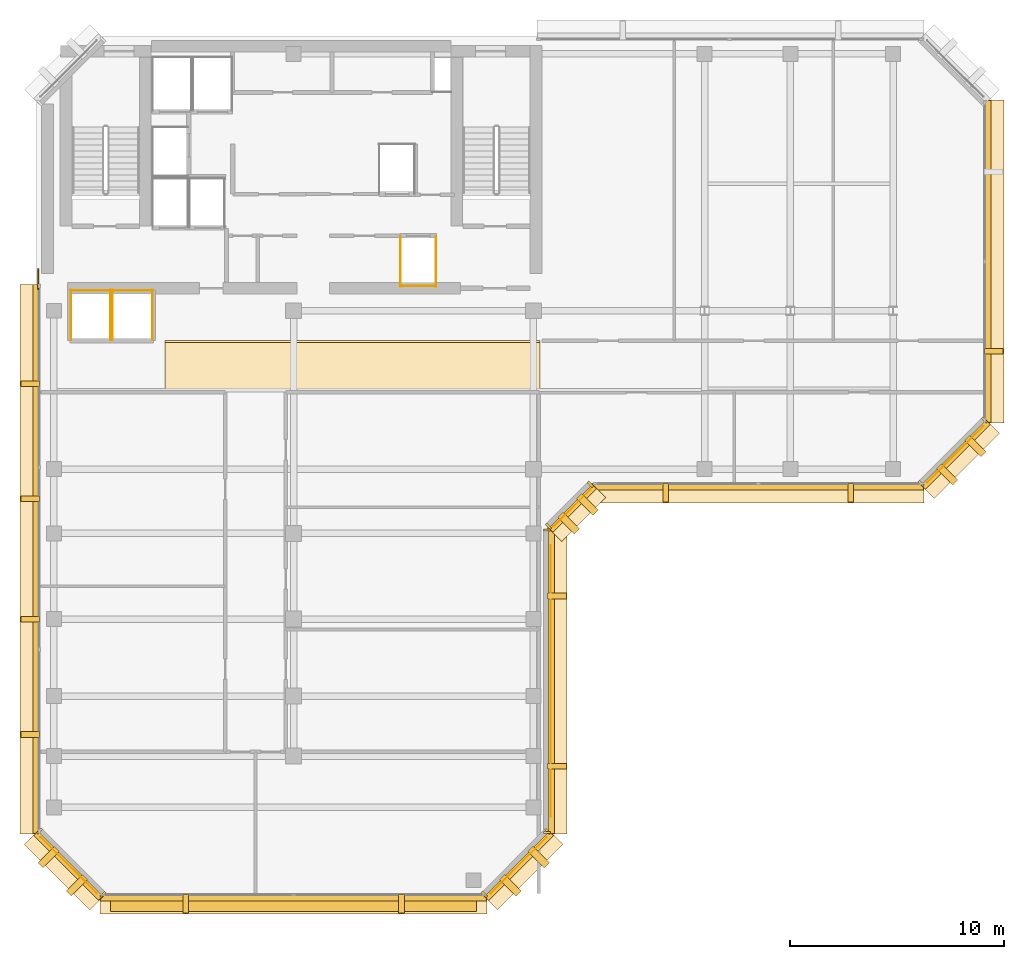
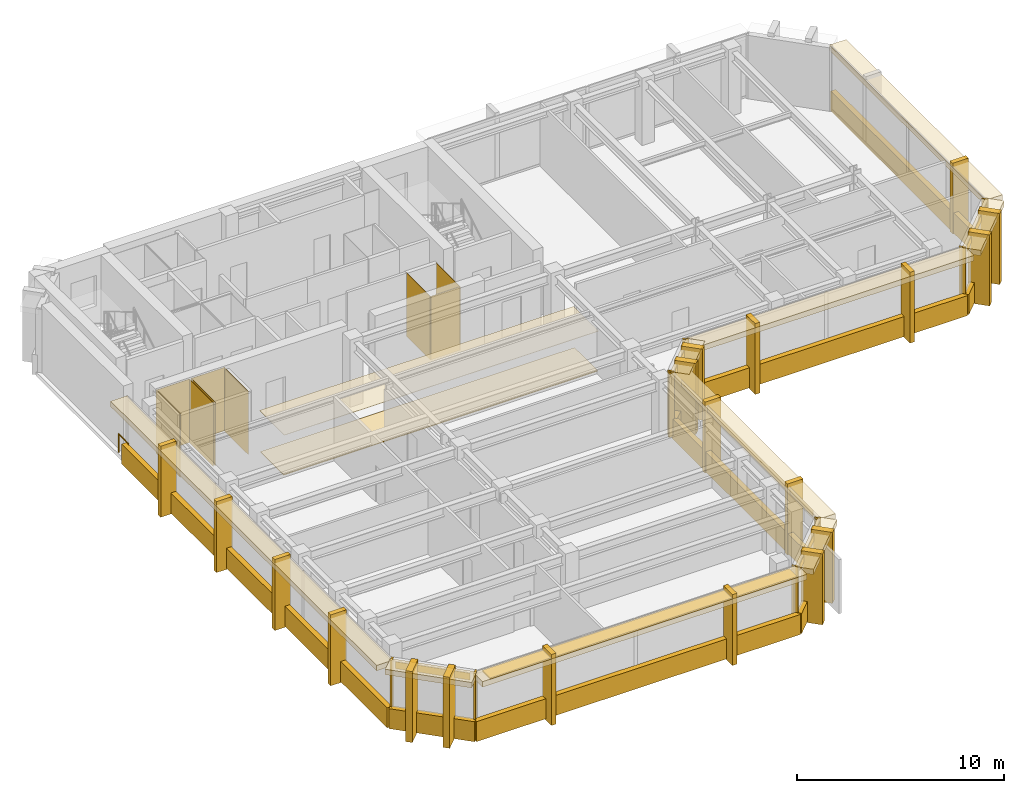
# One storey, part 9 of 11: 63 coverings, 1 railing, 1 shading device.
"""IFC4 building model written with IfcOpenShell, lengths in metres."""

from ifc_helpers import new_model, si_unit, direction, frame, origin, origin_2d, place, context, subcontext, project, spatial, polyline, rectangle, circle, outline, extrude, material, layer, layer_set, type_object, element, save


model = new_model("IFC4")

# Units and contexts
model_context = context("Model", 3, precision=1e-05, world=origin(), true_north=direction((0.0, 1.0)))
body_context = subcontext(model_context, "Body", "Model", "MODEL_VIEW")
ifc_project = project(units=[si_unit("LENGTHUNIT", "METRE"), si_unit("AREAUNIT", "SQUARE_METRE"), si_unit("VOLUMEUNIT", "CUBIC_METRE"), si_unit("PLANEANGLEUNIT", "RADIAN"), si_unit("MASSUNIT", "GRAM", prefix="KILO")], contexts=[model_context])

# Site, building, storey
site_placement = place(None, origin())
site = spatial("IfcSite", under=ifc_project, at=site_placement, CompositionType="ELEMENT")
building_placement = place(site_placement, origin())
building = spatial("IfcBuilding", under=site, at=building_placement, Name="Kefirva Bronze Tower", CompositionType="ELEMENT")
storey_placement = place(building_placement, frame((0.0, 0.0, 299.969970703125)))
storey = spatial("IfcBuildingStorey", under=building, at=storey_placement, Name="L73", CompositionType="ELEMENT", Elevation=299.969970703125)

# Coverings
ifc_material_1 = material(Name="Acoustic mineral tile")
ifc_layer_1 = layer(ifc_material_1, 0.02490234375, Name="Acoustic mineral tile")
ifc_layer_set_1 = layer_set([ifc_layer_1], Name="Acoustic mineral tile")
covering_type_1 = type_object("IfcCoveringType", Name="Acoustic Mineral Suspended Ceiling 25mm", PredefinedType="CEILING", material=ifc_layer_set_1)
covering_1_placement = place(storey_placement, frame((0.0, 0.0, 2.400146484375)))
element("IfcCovering", 1, at=covering_1_placement, inside=storey, type_object=covering_type_1, Name="L73 Corridor Acoustic Ceiling", PredefinedType="CEILING", context=body_context, shape_type="SweptSolid", body=[
    extrude(outline(polyline([(6.0, 29.39990234375), (23.5, 29.39990234375), (23.5, 31.800048828125), (6.0, 31.800048828125), (6.0, 29.39990234375)])), origin(), (0.0, 0.0, 1.0), 0.02490234375),
])
ifc_material_2 = material(Name="Bronze anodised aluminium", Category="aluminium")
ifc_layer_2 = layer(ifc_material_2, 0.02001953125, Name="Bronze anodised aluminium")
ifc_layer_set_2 = layer_set([ifc_layer_2], Name="Bronze anodised aluminium")
covering_type_2 = type_object("IfcCoveringType", Name="Anodised Bronze Spandrel Cladding 20mm", PredefinedType="CLADDING", material=ifc_layer_set_2)
covering_2_placement = place(storey_placement, frame((12.0, 5.760009765625, -0.16015625), z_axis=(0.0, 0.0, 1.0), x_axis=(1.0, 0.0, 0.0)))
element("IfcCovering", 2, at=covering_2_placement, inside=storey, type_object=covering_type_2, Name="L73 Streamline Horizontal Spandrel Band 0", PredefinedType="CLADDING", context=body_context, shape_type="SweptSolid", body=[
    extrude(rectangle(XDim=18.0400390625, YDim=0.280029296875, at=origin_2d()), origin(), (0.0, 0.0, 1.0), 1.179931640625),
])
covering_3_placement = place(storey_placement, frame((22.507080078125, 7.29296875, 3.320068359375), z_axis=(0.0, 0.0, 1.0), x_axis=(0.707106781187, 0.707106781187, 0.0)))
element("IfcCovering", 3, at=covering_3_placement, inside=storey, type_object=covering_type_2, Name="L73 Bronze Spandrel Cladding 1", PredefinedType="CLADDING", context=body_context, shape_type="SweptSolid", body=[
    extrude(rectangle(XDim=3.719482421875, YDim=0.02001953125, at=origin_2d()), origin(), (0.0, 0.0, 1.0), 0.39990234375),
])
for number, where, z_axis, x_axis, name in (
    (4, (20.91162109375, 5.93798828125, 0.0), (0.0, 0.0, 1.0), (0.707106781187, 0.707106781187, 0.0), "L73 Facade Joint Closure Panel 1S"),
    (5, (23.862060546875, 8.88818359375, 0.0), (0.0, 0.0, 1.0), (0.707106781187, 0.707106781187, 0.0), "L73 Facade Joint Closure Panel 1E"),
):
    element("IfcCovering", number, at=place(storey_placement, frame(where, z_axis=z_axis, x_axis=x_axis)), inside=storey, type_object=covering_type_2, Name=name, PredefinedType="CLADDING", context=body_context, shape_type="SweptSolid", body=[
        extrude(rectangle(XDim=0.10009765625, YDim=0.320068359375, at=origin_2d()), origin(), (0.0, 0.0, 1.0), 3.739990234375),
    ])
covering_4_placement = place(storey_placement, frame((22.5283203125, 7.271728515625, -0.16015625), z_axis=(0.0, 0.0, 1.0), x_axis=(0.707106781187, 0.707106781187, 0.0)))
element("IfcCovering", 6, at=covering_4_placement, inside=storey, type_object=covering_type_2, Name="L73 Streamline Horizontal Spandrel Band 1", PredefinedType="CLADDING", context=body_context, shape_type="SweptSolid", body=[
    extrude(rectangle(XDim=4.28271484375, YDim=0.280029296875, at=origin_2d()), origin(), (0.0, 0.0, 1.0), 1.179931640625),
])
covering_5_placement = place(storey_placement, frame((24.010009765625, 15.89990234375, 3.320068359375), z_axis=(0.0, 0.0, 1.0), x_axis=(0.0, 1.0, 0.0)))
element("IfcCovering", 7, at=covering_5_placement, inside=storey, type_object=covering_type_2, Name="L73 Bronze Spandrel Cladding 2", PredefinedType="CLADDING", context=body_context, shape_type="SweptSolid", body=[
    extrude(rectangle(XDim=12.680908203125, YDim=0.02001953125, at=origin_2d()), origin(), (0.0, 0.0, 1.0), 0.39990234375),
])
for number, where, z_axis, x_axis, name in (
    (8, (23.840087890625, 8.8349609375, 0.0), (0.0, 0.0, 1.0), (0.0, 1.0, 0.0), "L73 Facade Joint Closure Panel 2S"),
    (9, (23.840087890625, 22.965087890625, 0.0), (0.0, 0.0, 1.0), (0.0, 1.0, 0.0), "L73 Facade Joint Closure Panel 2E"),
):
    element("IfcCovering", number, at=place(storey_placement, frame(where, z_axis=z_axis, x_axis=x_axis)), inside=storey, type_object=covering_type_2, Name=name, PredefinedType="CLADDING", context=body_context, shape_type="SweptSolid", body=[
        extrude(rectangle(XDim=0.10009765625, YDim=0.320068359375, at=origin_2d()), origin(), (0.0, 0.0, 1.0), 3.739990234375),
    ])
covering_6_placement = place(storey_placement, frame((24.0400390625, 15.89990234375, -0.16015625), z_axis=(0.0, 0.0, 1.0), x_axis=(0.0, 1.0, 0.0)))
element("IfcCovering", 10, at=covering_6_placement, inside=storey, type_object=covering_type_2, Name="L73 Streamline Horizontal Spandrel Band 2", PredefinedType="CLADDING", context=body_context, shape_type="SweptSolid", body=[
    extrude(rectangle(XDim=14.239990234375, YDim=0.280029296875, at=origin_2d()), origin(), (0.0, 0.0, 1.0), 1.179931640625),
])
covering_7_placement = place(storey_placement, frame((25.007080078125, 23.992919921875, 3.320068359375), z_axis=(0.0, 0.0, 1.0), x_axis=(0.707106781187, 0.707106781187, 0.0)))
element("IfcCovering", 11, at=covering_7_placement, inside=storey, type_object=covering_type_2, Name="L73 Bronze Spandrel Cladding 3", PredefinedType="CLADDING", context=body_context, shape_type="SweptSolid", body=[
    extrude(rectangle(XDim=2.446533203125, YDim=0.02001953125, at=origin_2d()), origin(), (0.0, 0.0, 1.0), 0.39990234375),
])
for number, where, z_axis, x_axis, name in (
    (12, (23.91162109375, 23.137939453125, 0.0), (0.0, 0.0, 1.0), (0.707106781187, 0.707106781187, 0.0), "L73 Facade Joint Closure Panel 3S"),
    (13, (25.862060546875, 25.08837890625, 0.0), (0.0, 0.0, 1.0), (0.707106781187, 0.707106781187, 0.0), "L73 Facade Joint Closure Panel 3E"),
):
    element("IfcCovering", number, at=place(storey_placement, frame(where, z_axis=z_axis, x_axis=x_axis)), inside=storey, type_object=covering_type_2, Name=name, PredefinedType="CLADDING", context=body_context, shape_type="SweptSolid", body=[
        extrude(rectangle(XDim=0.10009765625, YDim=0.320068359375, at=origin_2d()), origin(), (0.0, 0.0, 1.0), 3.739990234375),
    ])
covering_8_placement = place(storey_placement, frame((25.0283203125, 23.9716796875, -0.16015625), z_axis=(0.0, 0.0, 1.0), x_axis=(0.707106781187, 0.707106781187, 0.0)))
element("IfcCovering", 14, at=covering_8_placement, inside=storey, type_object=covering_type_2, Name="L73 Streamline Horizontal Spandrel Band 3", PredefinedType="CLADDING", context=body_context, shape_type="SweptSolid", body=[
    extrude(rectangle(XDim=2.868408203125, YDim=0.280029296875, at=origin_2d()), origin(), (0.0, 0.0, 1.0), 1.179931640625),
])
covering_9_placement = place(storey_placement, frame((33.699951171875, 24.9599609375, -0.16015625), z_axis=(0.0, 0.0, 1.0), x_axis=(1.0, 0.0, 0.0)))
element("IfcCovering", 15, at=covering_9_placement, inside=storey, type_object=covering_type_2, Name="L73 Streamline Horizontal Spandrel Band 4", PredefinedType="CLADDING", context=body_context, shape_type="SweptSolid", body=[
    extrude(rectangle(XDim=15.43994140625, YDim=0.280029296875, at=origin_2d()), origin(), (0.0, 0.0, 1.0), 1.179931640625),
])
covering_10_placement = place(storey_placement, frame((42.906982421875, 26.492919921875, 3.320068359375), z_axis=(0.0, 0.0, 1.0), x_axis=(0.707106781187, 0.707106781187, 0.0)))
element("IfcCovering", 16, at=covering_10_placement, inside=storey, type_object=covering_type_2, Name="L73 Bronze Spandrel Cladding 4", PredefinedType="CLADDING", context=body_context, shape_type="SweptSolid", body=[
    extrude(rectangle(XDim=3.719482421875, YDim=0.02001953125, at=origin_2d()), origin(), (0.0, 0.0, 1.0), 0.39990234375),
])
for number, where, z_axis, x_axis, name in (
    (17, (41.311767578125, 25.137939453125, 0.0), (0.0, 0.0, 1.0), (0.707106781187, 0.707106781187, 0.0), "L73 Facade Joint Closure Panel 4S"),
    (18, (44.26220703125, 28.08837890625, 0.0), (0.0, 0.0, 1.0), (0.707106781187, 0.707106781187, 0.0), "L73 Facade Joint Closure Panel 4E"),
):
    element("IfcCovering", number, at=place(storey_placement, frame(where, z_axis=z_axis, x_axis=x_axis)), inside=storey, type_object=covering_type_2, Name=name, PredefinedType="CLADDING", context=body_context, shape_type="SweptSolid", body=[
        extrude(rectangle(XDim=0.10009765625, YDim=0.320068359375, at=origin_2d()), origin(), (0.0, 0.0, 1.0), 3.739990234375),
    ])
covering_11_placement = place(storey_placement, frame((42.92822265625, 26.4716796875, -0.16015625), z_axis=(0.0, 0.0, 1.0), x_axis=(0.707106781187, 0.707106781187, 0.0)))
element("IfcCovering", 19, at=covering_11_placement, inside=storey, type_object=covering_type_2, Name="L73 Streamline Horizontal Spandrel Band 5", PredefinedType="CLADDING", context=body_context, shape_type="SweptSolid", body=[
    extrude(rectangle(XDim=4.28271484375, YDim=0.280029296875, at=origin_2d()), origin(), (0.0, 0.0, 1.0), 1.179931640625),
])
covering_12_placement = place(storey_placement, frame((44.43994140625, 35.5, -0.16015625), z_axis=(0.0, 0.0, 1.0), x_axis=(0.0, 1.0, 0.0)))
element("IfcCovering", 20, at=covering_12_placement, inside=storey, type_object=covering_type_2, Name="L73 Streamline Horizontal Spandrel Band 6", PredefinedType="CLADDING", context=body_context, shape_type="SweptSolid", body=[
    extrude(rectangle(XDim=15.0400390625, YDim=0.280029296875, at=origin_2d()), origin(), (0.0, 0.0, 1.0), 1.179931640625),
])
covering_13_placement = place(storey_placement, frame((-0.0400390625, 21.597412109375, -0.16015625), z_axis=(0.0, 0.0, 1.0), x_axis=(0.0, -1.0, 0.0)))
element("IfcCovering", 21, at=covering_13_placement, inside=storey, type_object=covering_type_2, Name="L73 Streamline Horizontal Spandrel Band 10", PredefinedType="CLADDING", context=body_context, shape_type="SweptSolid", body=[
    extrude(rectangle(XDim=25.635009765625, YDim=0.280029296875, at=origin_2d()), origin(), (0.0, 0.0, 1.0), 1.179931640625),
])
covering_14_placement = place(storey_placement, frame((1.492919921875, 7.29296875, 3.320068359375), z_axis=(0.0, 0.0, 1.0), x_axis=(0.707106781187, -0.707106781187, 0.0)))
element("IfcCovering", 22, at=covering_14_placement, inside=storey, type_object=covering_type_2, Name="L73 Bronze Spandrel Cladding 7", PredefinedType="CLADDING", context=body_context, shape_type="SweptSolid", body=[
    extrude(rectangle(XDim=3.719482421875, YDim=0.02001953125, at=origin_2d()), origin(), (0.0, 0.0, 1.0), 0.39990234375),
])
for number, where, z_axis, x_axis, name in (
    (23, (0.137939453125, 8.88818359375, 0.0), (0.0, 0.0, 1.0), (0.707106781187, -0.707106781187, 0.0), "L73 Facade Joint Closure Panel 7S"),
    (24, (3.08837890625, 5.93798828125, 0.0), (0.0, 0.0, 1.0), (0.707106781187, -0.707106781187, 0.0), "L73 Facade Joint Closure Panel 7E"),
):
    element("IfcCovering", number, at=place(storey_placement, frame(where, z_axis=z_axis, x_axis=x_axis)), inside=storey, type_object=covering_type_2, Name=name, PredefinedType="CLADDING", context=body_context, shape_type="SweptSolid", body=[
        extrude(rectangle(XDim=0.10009765625, YDim=0.320068359375, at=origin_2d()), origin(), (0.0, 0.0, 1.0), 3.739990234375),
    ])
covering_15_placement = place(storey_placement, frame((1.4716796875, 7.271728515625, -0.16015625), z_axis=(0.0, 0.0, 1.0), x_axis=(0.707106781187, -0.707106781187, 0.0)))
element("IfcCovering", 25, at=covering_15_placement, inside=storey, type_object=covering_type_2, Name="L73 Streamline Horizontal Spandrel Band 11", PredefinedType="CLADDING", context=body_context, shape_type="SweptSolid", body=[
    extrude(rectangle(XDim=4.28271484375, YDim=0.280029296875, at=origin_2d()), origin(), (0.0, 0.0, 1.0), 1.179931640625),
])
covering_16_placement = place(storey_placement, origin())
element("IfcCovering", 26, at=covering_16_placement, inside=storey, type_object=covering_type_2, Name="L73 Lift OB1 Hoistway Liner N", PredefinedType="CLADDING", context=body_context, shape_type="SweptSolid", body=[
    extrude(outline(polyline([(1.580078125, 34.139892578125), (3.469970703125, 34.139892578125), (3.469970703125, 34.159912109375), (1.580078125, 34.159912109375), (1.580078125, 34.139892578125)])), origin(), (0.0, 0.0, 1.0), 3.739990234375),
])
covering_17_placement = place(storey_placement, origin())
element("IfcCovering", 27, at=covering_17_placement, inside=storey, type_object=covering_type_2, Name="L73 Lift OB1 Hoistway Liner W", PredefinedType="CLADDING", context=body_context, shape_type="SweptSolid", body=[
    extrude(outline(polyline([(1.590087890625, 31.830078125), (1.610107421875, 31.830078125), (1.610107421875, 34.169921875), (1.590087890625, 34.169921875), (1.590087890625, 31.830078125)])), origin(), (0.0, 0.0, 1.0), 3.739990234375),
])
covering_18_placement = place(storey_placement, origin())
element("IfcCovering", 28, at=covering_18_placement, inside=storey, type_object=covering_type_2, Name="L73 Lift OB1 Hoistway Liner E", PredefinedType="CLADDING", context=body_context, shape_type="SweptSolid", body=[
    extrude(outline(polyline([(3.43994140625, 31.830078125), (3.4599609375, 31.830078125), (3.4599609375, 34.169921875), (3.43994140625, 34.169921875), (3.43994140625, 31.830078125)])), origin(), (0.0, 0.0, 1.0), 3.739990234375),
])
covering_19_placement = place(storey_placement, origin())
element("IfcCovering", 29, at=covering_19_placement, inside=storey, type_object=covering_type_2, Name="L73 Lift OB2 Hoistway Liner N", PredefinedType="CLADDING", context=body_context, shape_type="SweptSolid", body=[
    extrude(outline(polyline([(3.530029296875, 34.139892578125), (5.419921875, 34.139892578125), (5.419921875, 34.159912109375), (3.530029296875, 34.159912109375), (3.530029296875, 34.139892578125)])), origin(), (0.0, 0.0, 1.0), 3.739990234375),
])
covering_20_placement = place(storey_placement, origin())
element("IfcCovering", 30, at=covering_20_placement, inside=storey, type_object=covering_type_2, Name="L73 Lift OB2 Hoistway Liner W", PredefinedType="CLADDING", context=body_context, shape_type="SweptSolid", body=[
    extrude(outline(polyline([(3.5400390625, 31.830078125), (3.56005859375, 31.830078125), (3.56005859375, 34.169921875), (3.5400390625, 34.169921875), (3.5400390625, 31.830078125)])), origin(), (0.0, 0.0, 1.0), 3.739990234375),
])
covering_21_placement = place(storey_placement, origin())
element("IfcCovering", 31, at=covering_21_placement, inside=storey, type_object=covering_type_2, Name="L73 Lift OB2 Hoistway Liner E", PredefinedType="CLADDING", context=body_context, shape_type="SweptSolid", body=[
    extrude(outline(polyline([(5.389892578125, 31.830078125), (5.409912109375, 31.830078125), (5.409912109375, 34.169921875), (5.389892578125, 34.169921875), (5.389892578125, 31.830078125)])), origin(), (0.0, 0.0, 1.0), 3.739990234375),
])
covering_22_placement = place(storey_placement, origin())
element("IfcCovering", 32, at=covering_22_placement, inside=storey, type_object=covering_type_2, Name="L73 Lift HP1 Hoistway Liner S", PredefinedType="CLADDING", context=body_context, shape_type="SweptSolid", body=[
    extrude(outline(polyline([(16.97998046875, 34.340087890625), (18.669921875, 34.340087890625), (18.669921875, 34.360107421875), (16.97998046875, 34.360107421875), (16.97998046875, 34.340087890625)])), origin(), (0.0, 0.0, 1.0), 3.739990234375),
])
covering_23_placement = place(storey_placement, origin())
element("IfcCovering", 33, at=covering_23_placement, inside=storey, type_object=covering_type_2, Name="L73 Lift HP1 Hoistway Liner W", PredefinedType="CLADDING", context=body_context, shape_type="SweptSolid", body=[
    extrude(outline(polyline([(16.989990234375, 34.330078125), (17.010009765625, 34.330078125), (17.010009765625, 36.669921875), (16.989990234375, 36.669921875), (16.989990234375, 34.330078125)])), origin(), (0.0, 0.0, 1.0), 3.739990234375),
])
covering_24_placement = place(storey_placement, origin())
element("IfcCovering", 34, at=covering_24_placement, inside=storey, type_object=covering_type_2, Name="L73 Lift HP1 Hoistway Liner E", PredefinedType="CLADDING", context=body_context, shape_type="SweptSolid", body=[
    extrude(outline(polyline([(18.639892578125, 34.330078125), (18.659912109375, 34.330078125), (18.659912109375, 36.669921875), (18.639892578125, 36.669921875), (18.639892578125, 34.330078125)])), origin(), (0.0, 0.0, 1.0), 3.739990234375),
])

# Shading device
ifc_layer_3 = layer(ifc_material_2, 0.090087890625, Name="Bronze anodised aluminium")
ifc_layer_set_3 = layer_set([ifc_layer_3], Name="Bronze anodised aluminium")
shading_device_type = type_object("IfcShadingDeviceType", Name="Horizontal Bronze Sunshade Band 750mm", PredefinedType="JALOUSIE", material=ifc_layer_set_3)
shading_device_placement = place(storey_placement, frame((12.0, 5.5048828125, 3.634765625), z_axis=(0.0, 0.0, 1.0), x_axis=(1.0, 0.0, 0.0)))
element("IfcShadingDevice", 35, at=shading_device_placement, inside=storey, type_object=shading_device_type, Name="L73 Horizontal Bronze Sunshade Band 0", PredefinedType="JALOUSIE", context=body_context, shape_type="SweptSolid", body=[
    extrude(rectangle(XDim=17.090087890625, YDim=0.75, at=origin_2d()), origin(), (0.0, 0.0, 1.0), 0.090087890625),
])

# Railing
ifc_material_3 = material(Name="Stainless steel 316", Category="steel")
railing_type = type_object("IfcRailingType", Name="Interior Stair Guardrail 1100mm", PredefinedType="GUARDRAIL", material=ifc_material_3)
railing_placement = place(storey_placement, frame((0.080078125, 34.199951171875, 0.0)))
element("IfcRailing", 36, at=railing_placement, inside=storey, type_object=railing_type, Name="L73 West Core Junction Guardrail", PredefinedType="GUARDRAIL", context=body_context, shape_type="SweptSolid", body=[
    extrude(circle(Radius=0.02392578125, at=origin_2d()), frame((0.0, 0.0, 1.076171875), z_axis=(0.0, 1.0, 0.0), x_axis=(-1.0, 0.0, 0.0)), (0.0, 0.0, 1.0), 0.949951171875),
    extrude(circle(Radius=0.02099609375, at=origin_2d()), origin(), (0.0, 0.0, 1.0), 1.052001953125),
    extrude(circle(Radius=0.02099609375, at=origin_2d()), frame((0.0, 0.949951171875, 0.0)), (0.0, 0.0, 1.0), 1.052001953125),
])

# Coverings
ifc_material_4 = material(Name="Calcium sulphate access tile")
ifc_layer_4 = layer(ifc_material_4, 0.044921875, Name="Calcium sulphate access tile")
ifc_layer_set_4 = layer_set([ifc_layer_4], Name="Calcium sulphate access tile")
covering_type_3 = type_object("IfcCoveringType", Name="Raised Access Office Flooring 45mm", PredefinedType="FLOORING", material=ifc_layer_set_4)
covering_25_placement = place(storey_placement, origin())
element("IfcCovering", 37, at=covering_25_placement, inside=storey, type_object=covering_type_3, Name="L73 Architectural Finish Flooring", PredefinedType="FLOORING", context=body_context, shape_type="SweptSolid", body=[
    extrude(outline(polyline([(6.0, 29.47998046875), (23.5, 29.47998046875), (23.5, 31.719970703125), (6.0, 31.719970703125), (6.0, 29.47998046875)])), origin(), (0.0, 0.0, 1.0), 0.044921875),
])
ifc_layer_5 = layer(ifc_material_2, 0.179931640625, Name="Bronze anodised aluminium")
ifc_layer_set_5 = layer_set([ifc_layer_5], Name="Bronze anodised aluminium")
covering_type_4 = type_object("IfcCoveringType", Name="Streamline Bronze Sunshade Eyebrow Cladding 180mm", PredefinedType="CLADDING", material=ifc_layer_set_5)
covering_26_placement = place(storey_placement, frame((12.0, 5.489990234375, 3.419921875), z_axis=(0.0, 0.0, 1.0), x_axis=(1.0, 0.0, 0.0)))
element("IfcCovering", 38, at=covering_26_placement, inside=storey, type_object=covering_type_4, Name="L73 Streamline Bronze Sunshade Eyebrow 0", PredefinedType="CLADDING", context=body_context, shape_type="SweptSolid", body=[
    extrude(rectangle(XDim=18.080078125, YDim=0.93994140625, at=origin_2d()), origin(), (0.0, 0.0, 1.0), 0.320068359375),
])
covering_27_placement = place(storey_placement, frame((22.71923828125, 7.080810546875, 3.419921875), z_axis=(0.0, 0.0, 1.0), x_axis=(0.707106781187, 0.707106781187, 0.0)))
element("IfcCovering", 39, at=covering_27_placement, inside=storey, type_object=covering_type_4, Name="L73 Streamline Bronze Sunshade Eyebrow 1", PredefinedType="CLADDING", context=body_context, shape_type="SweptSolid", body=[
    extrude(rectangle(XDim=4.322509765625, YDim=0.93994140625, at=origin_2d()), origin(), (0.0, 0.0, 1.0), 0.320068359375),
])
covering_28_placement = place(storey_placement, frame((24.31005859375, 15.89990234375, 3.419921875), z_axis=(0.0, 0.0, 1.0), x_axis=(0.0, 1.0, 0.0)))
element("IfcCovering", 40, at=covering_28_placement, inside=storey, type_object=covering_type_4, Name="L73 Streamline Bronze Sunshade Eyebrow 2", PredefinedType="CLADDING", context=body_context, shape_type="SweptSolid", body=[
    extrude(rectangle(XDim=14.280029296875, YDim=0.93994140625, at=origin_2d()), origin(), (0.0, 0.0, 1.0), 0.320068359375),
])
covering_29_placement = place(storey_placement, frame((25.21923828125, 23.78076171875, 3.419921875), z_axis=(0.0, 0.0, 1.0), x_axis=(0.707106781187, 0.707106781187, 0.0)))
element("IfcCovering", 41, at=covering_29_placement, inside=storey, type_object=covering_type_4, Name="L73 Streamline Bronze Sunshade Eyebrow 3", PredefinedType="CLADDING", context=body_context, shape_type="SweptSolid", body=[
    extrude(rectangle(XDim=2.908447265625, YDim=0.93994140625, at=origin_2d()), origin(), (0.0, 0.0, 1.0), 0.320068359375),
])
covering_30_placement = place(storey_placement, frame((33.699951171875, 24.68994140625, 3.419921875), z_axis=(0.0, 0.0, 1.0), x_axis=(1.0, 0.0, 0.0)))
element("IfcCovering", 42, at=covering_30_placement, inside=storey, type_object=covering_type_4, Name="L73 Streamline Bronze Sunshade Eyebrow 4", PredefinedType="CLADDING", context=body_context, shape_type="SweptSolid", body=[
    extrude(rectangle(XDim=15.47998046875, YDim=0.93994140625, at=origin_2d()), origin(), (0.0, 0.0, 1.0), 0.320068359375),
])
covering_31_placement = place(storey_placement, frame((43.119140625, 26.28076171875, 3.419921875), z_axis=(0.0, 0.0, 1.0), x_axis=(0.707106781187, 0.707106781187, 0.0)))
element("IfcCovering", 43, at=covering_31_placement, inside=storey, type_object=covering_type_4, Name="L73 Streamline Bronze Sunshade Eyebrow 5", PredefinedType="CLADDING", context=body_context, shape_type="SweptSolid", body=[
    extrude(rectangle(XDim=4.322509765625, YDim=0.93994140625, at=origin_2d()), origin(), (0.0, 0.0, 1.0), 0.320068359375),
])
covering_32_placement = place(storey_placement, frame((44.7099609375, 35.5, 3.419921875), z_axis=(0.0, 0.0, 1.0), x_axis=(0.0, 1.0, 0.0)))
element("IfcCovering", 44, at=covering_32_placement, inside=storey, type_object=covering_type_4, Name="L73 Streamline Bronze Sunshade Eyebrow 6", PredefinedType="CLADDING", context=body_context, shape_type="SweptSolid", body=[
    extrude(rectangle(XDim=15.080078125, YDim=0.93994140625, at=origin_2d()), origin(), (0.0, 0.0, 1.0), 0.320068359375),
])
covering_33_placement = place(storey_placement, frame((-0.31005859375, 21.597412109375, 3.419921875), z_axis=(0.0, 0.0, 1.0), x_axis=(0.0, -1.0, 0.0)))
element("IfcCovering", 45, at=covering_33_placement, inside=storey, type_object=covering_type_4, Name="L73 Streamline Bronze Sunshade Eyebrow 10", PredefinedType="CLADDING", context=body_context, shape_type="SweptSolid", body=[
    extrude(rectangle(XDim=25.675048828125, YDim=0.93994140625, at=origin_2d()), origin(), (0.0, 0.0, 1.0), 0.320068359375),
])
covering_34_placement = place(storey_placement, frame((1.28076171875, 7.080810546875, 3.419921875), z_axis=(0.0, 0.0, 1.0), x_axis=(0.707106781187, -0.707106781187, 0.0)))
element("IfcCovering", 46, at=covering_34_placement, inside=storey, type_object=covering_type_4, Name="L73 Streamline Bronze Sunshade Eyebrow 11", PredefinedType="CLADDING", context=body_context, shape_type="SweptSolid", body=[
    extrude(rectangle(XDim=4.322509765625, YDim=0.93994140625, at=origin_2d()), origin(), (0.0, 0.0, 1.0), 0.320068359375),
])
ifc_layer_6 = layer(ifc_material_2, 0.260009765625, Name="Bronze anodised aluminium")
ifc_layer_set_6 = layer_set([ifc_layer_6], Name="Bronze anodised aluminium")
covering_type_5 = type_object("IfcCoveringType", Name="Unbroken Bronze Buttress Fin Cladding 260mm", PredefinedType="CLADDING", material=ifc_layer_set_6)
for number, where, z_axis, x_axis, name in (
    (47, (6.9599609375, 5.5, -0.2197265625), (0.0, 0.0, 1.0), (1.0, 0.0, 0.0), "L73 Unbroken Vertical Bronze Rib Fin 1"),
    (48, (17.0400390625, 5.5, -0.2197265625), (0.0, 0.0, 1.0), (1.0, 0.0, 0.0), "L73 Unbroken Vertical Bronze Rib Fin 2"),
):
    element("IfcCovering", number, at=place(storey_placement, frame(where, z_axis=z_axis, x_axis=x_axis)), inside=storey, type_object=covering_type_5, Name=name, PredefinedType="CLADDING", context=body_context, shape_type="SweptSolid", body=[
        extrude(rectangle(XDim=0.260009765625, YDim=0.8798828125, at=origin_2d()), origin(), (0.0, 0.0, 1.0), 4.179931640625),
    ])
for number, where, z_axis, x_axis, name in (
    (49, (22.122802734375, 6.357177734375, -0.2197265625), (0.0, 0.0, 1.0), (0.707106781187, 0.707106781187, 0.0), "L73 Chamfered Corner Buttress Fin Cladding 3"),
    (50, (23.44287109375, 7.67724609375, -0.2197265625), (0.0, 0.0, 1.0), (0.707106781187, 0.707106781187, 0.0), "L73 Chamfered Corner Buttress Fin Cladding 4"),
):
    element("IfcCovering", number, at=place(storey_placement, frame(where, z_axis=z_axis, x_axis=x_axis)), inside=storey, type_object=covering_type_5, Name=name, PredefinedType="CLADDING", context=body_context, shape_type="SweptSolid", body=[
        extrude(rectangle(XDim=0.340087890625, YDim=1.080078125, at=origin_2d()), origin(), (0.0, 0.0, 1.0), 4.179931640625),
    ])
for number, where, z_axis, x_axis, name in (
    (51, (24.300048828125, 11.924072265625, -0.2197265625), (0.0, 0.0, 1.0), (0.0, 1.0, 0.0), "L73 Unbroken Vertical Bronze Rib Fin 5"),
    (52, (24.300048828125, 19.8759765625, -0.2197265625), (0.0, 0.0, 1.0), (0.0, 1.0, 0.0), "L73 Unbroken Vertical Bronze Rib Fin 6"),
):
    element("IfcCovering", number, at=place(storey_placement, frame(where, z_axis=z_axis, x_axis=x_axis)), inside=storey, type_object=covering_type_5, Name=name, PredefinedType="CLADDING", context=body_context, shape_type="SweptSolid", body=[
        extrude(rectangle(XDim=0.260009765625, YDim=0.8798828125, at=origin_2d()), origin(), (0.0, 0.0, 1.0), 4.179931640625),
    ])
for number, where, z_axis, x_axis, name in (
    (53, (24.8427734375, 23.277099609375, -0.2197265625), (0.0, 0.0, 1.0), (0.707106781187, 0.707106781187, 0.0), "L73 Chamfered Corner Buttress Fin Cladding 7"),
    (54, (25.722900390625, 24.1572265625, -0.2197265625), (0.0, 0.0, 1.0), (0.707106781187, 0.707106781187, 0.0), "L73 Chamfered Corner Buttress Fin Cladding 8"),
):
    element("IfcCovering", number, at=place(storey_placement, frame(where, z_axis=z_axis, x_axis=x_axis)), inside=storey, type_object=covering_type_5, Name=name, PredefinedType="CLADDING", context=body_context, shape_type="SweptSolid", body=[
        extrude(rectangle(XDim=0.340087890625, YDim=1.080078125, at=origin_2d()), origin(), (0.0, 0.0, 1.0), 4.179931640625),
    ])
for number, where, z_axis, x_axis, name in (
    (55, (29.387939453125, 24.699951171875, -0.2197265625), (0.0, 0.0, 1.0), (1.0, 0.0, 0.0), "L73 Unbroken Vertical Bronze Rib Fin 9"),
    (56, (38.011962890625, 24.699951171875, -0.2197265625), (0.0, 0.0, 1.0), (1.0, 0.0, 0.0), "L73 Unbroken Vertical Bronze Rib Fin 10"),
):
    element("IfcCovering", number, at=place(storey_placement, frame(where, z_axis=z_axis, x_axis=x_axis)), inside=storey, type_object=covering_type_5, Name=name, PredefinedType="CLADDING", context=body_context, shape_type="SweptSolid", body=[
        extrude(rectangle(XDim=0.260009765625, YDim=0.8798828125, at=origin_2d()), origin(), (0.0, 0.0, 1.0), 4.179931640625),
    ])
for number, where, z_axis, x_axis, name in (
    (57, (42.522705078125, 25.55712890625, -0.2197265625), (0.0, 0.0, 1.0), (0.707106781187, 0.707106781187, 0.0), "L73 Chamfered Corner Buttress Fin Cladding 11"),
    (58, (43.8427734375, 26.877197265625, -0.2197265625), (0.0, 0.0, 1.0), (0.707106781187, 0.707106781187, 0.0), "L73 Chamfered Corner Buttress Fin Cladding 12"),
):
    element("IfcCovering", number, at=place(storey_placement, frame(where, z_axis=z_axis, x_axis=x_axis)), inside=storey, type_object=covering_type_5, Name=name, PredefinedType="CLADDING", context=body_context, shape_type="SweptSolid", body=[
        extrude(rectangle(XDim=0.340087890625, YDim=1.080078125, at=origin_2d()), origin(), (0.0, 0.0, 1.0), 4.179931640625),
    ])
for number, where, z_axis, x_axis, name in (
    (59, (44.699951171875, 31.300048828125, -0.2197265625), (0.0, 0.0, 1.0), (0.0, 1.0, 0.0), "L73 Unbroken Vertical Bronze Rib Fin 13"),
    (60, (-0.300048828125, 29.787841796875, -0.2197265625), (0.0, 0.0, 1.0), (0.0, -1.0, 0.0), "L73 Unbroken Vertical Bronze Rib Fin 21"),
    (61, (-0.300048828125, 24.4130859375, -0.2197265625), (0.0, 0.0, 1.0), (0.0, -1.0, 0.0), "L73 Unbroken Vertical Bronze Rib Fin 22"),
    (62, (-0.300048828125, 18.781982421875, -0.2197265625), (0.0, 0.0, 1.0), (0.0, -1.0, 0.0), "L73 Unbroken Vertical Bronze Rib Fin 23"),
    (63, (-0.300048828125, 13.406982421875, -0.2197265625), (0.0, 0.0, 1.0), (0.0, -1.0, 0.0), "L73 Unbroken Vertical Bronze Rib Fin 24"),
):
    element("IfcCovering", number, at=place(storey_placement, frame(where, z_axis=z_axis, x_axis=x_axis)), inside=storey, type_object=covering_type_5, Name=name, PredefinedType="CLADDING", context=body_context, shape_type="SweptSolid", body=[
        extrude(rectangle(XDim=0.260009765625, YDim=0.8798828125, at=origin_2d()), origin(), (0.0, 0.0, 1.0), 4.179931640625),
    ])
for number, where, z_axis, x_axis, name in (
    (64, (0.55712890625, 7.67724609375, -0.2197265625), (0.0, 0.0, 1.0), (0.707106781187, -0.707106781187, 0.0), "L73 Chamfered Corner Buttress Fin Cladding 25"),
    (65, (1.877197265625, 6.357177734375, -0.2197265625), (0.0, 0.0, 1.0), (0.707106781187, -0.707106781187, 0.0), "L73 Chamfered Corner Buttress Fin Cladding 26"),
):
    element("IfcCovering", number, at=place(storey_placement, frame(where, z_axis=z_axis, x_axis=x_axis)), inside=storey, type_object=covering_type_5, Name=name, PredefinedType="CLADDING", context=body_context, shape_type="SweptSolid", body=[
        extrude(rectangle(XDim=0.340087890625, YDim=1.080078125, at=origin_2d()), origin(), (0.0, 0.0, 1.0), 4.179931640625),
    ])

save(model, "model.ifc")
